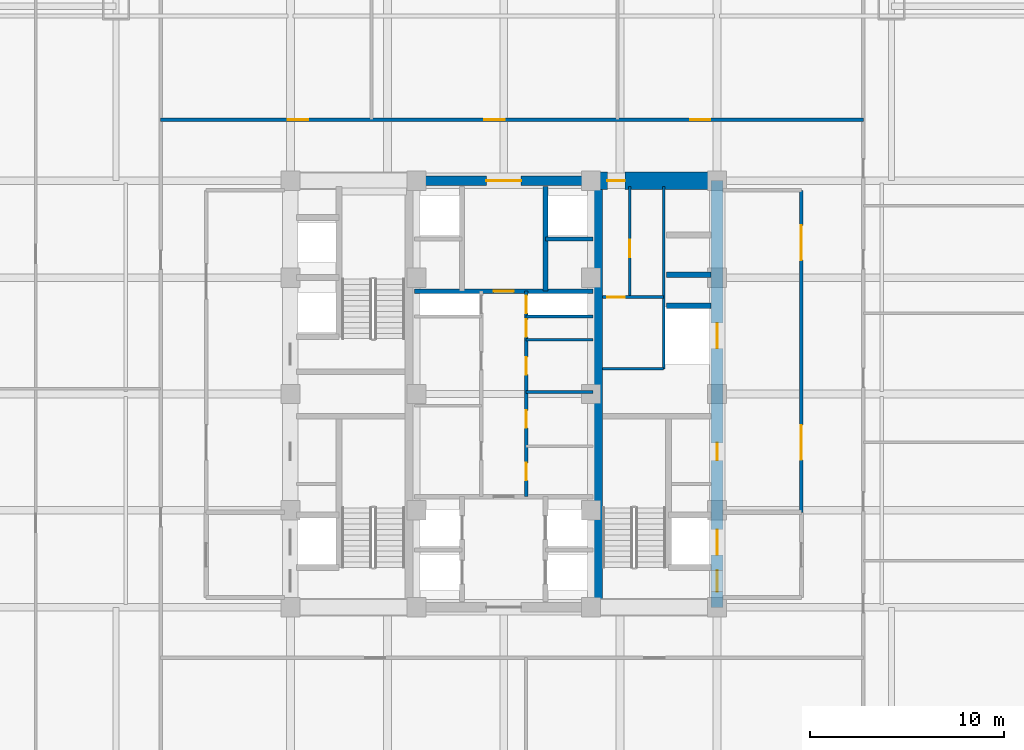
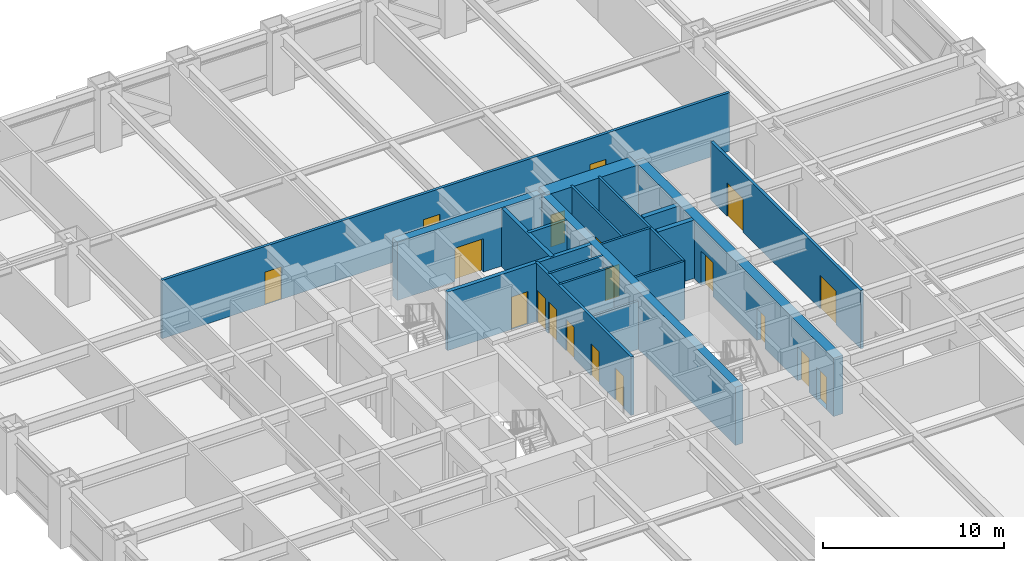
# One storey, part 26 of 32: 19 doors, 19 walls, 19 openings.
"""IFC4 building model written with IfcOpenShell, lengths in metres."""

from ifc_helpers import new_model, si_unit, direction, frame, frame_2d, origin, place, context, subcontext, project, spatial, rectangle, extrude, source, transform, mapped, material, layer, layer_set, type_object, element, fill, save


model = new_model("IFC4")

# Units and contexts
model_context = context("Model", 3, precision=1e-05, world=origin(), true_north=direction((0.0, 1.0)))
body_context = subcontext(model_context, "Body", "Model", "MODEL_VIEW")
ifc_project = project(units=[si_unit("LENGTHUNIT", "METRE"), si_unit("AREAUNIT", "SQUARE_METRE"), si_unit("VOLUMEUNIT", "CUBIC_METRE"), si_unit("PLANEANGLEUNIT", "RADIAN"), si_unit("MASSUNIT", "GRAM", prefix="KILO")], contexts=[model_context])

# Site, building, storey
site_placement = place(None, origin())
site = spatial("IfcSite", under=ifc_project, at=site_placement, CompositionType="ELEMENT")
building_placement = place(site_placement, origin())
building = spatial("IfcBuilding", under=site, at=building_placement, Name="Khorayat Bourse Tower", CompositionType="ELEMENT")
storey_placement = place(building_placement, frame((0.0, 0.0, 78.800048828125)))
storey = spatial("IfcBuildingStorey", under=building, at=storey_placement, Name="L17", CompositionType="ELEMENT", Elevation=78.800048828125)

# Wall, openings, doors
ifc_material_1 = material(Name="Concrete C60/75", Category="concrete")
ifc_layer_1 = layer(ifc_material_1, 0.60009765625)
ifc_layer_set_1 = layer_set([ifc_layer_1], Name="Concrete C60/75")
wall_type_1 = type_object("IfcWallType", Name="WAL-CORE-600", PredefinedType="SHEAR", material=ifc_layer_set_1)
shared_shape_1 = source(origin(), body_context, "Body", "SweptSolid", [
    extrude(rectangle(XDim=22.0, YDim=0.60009765625, at=frame_2d((11.0, 0.0))), origin(), (0.0, 0.0, 1.0), 3.93994140625),
])
wall_1_placement = place(storey_placement, frame((11.0, -11.0, 0.0), z_axis=(0.0, 0.0, 1.0), x_axis=(0.0, 1.0, 0.0)))
wall_1 = element("IfcWall", 1, at=wall_1_placement, inside=storey, type_object=wall_type_1, Name="L17 Core Shear Wall CORE-E", PredefinedType="SHEAR", context=body_context, shape_type="MappedRepresentation", body=[
    mapped(shared_shape_1, transform((0.0, 0.0, 0.0), scale=1.0)),
])
shared_shape_2 = source(origin(), body_context, "Body", "SweptSolid", [
    extrude(rectangle(XDim=1.10009765625, YDim=2.199951171875, at=frame_2d((0.550048828125, 1.10009765625))), frame((0.0, 0.31005859375, 0.0), z_axis=(0.0, -1.0, 0.0), x_axis=(1.0, 0.0, 0.0)), (0.0, 0.0, 1.0), 0.6201171875),
])
opening_1_placement = place(wall_1_placement, frame((0.800048828125, 0.0, 0.0)))
opening_1 = element("IfcOpeningElement", 2, at=opening_1_placement, cuts=wall_1, Name="Opening DI-01", PredefinedType="OPENING", context=body_context, shape_type="MappedRepresentation", body=[
    mapped(shared_shape_2, transform((0.0, 0.0, 0.0), scale=1.0)),
])
shared_shape_3 = source(origin(), body_context, "Body", "SweptSolid", [
    extrude(rectangle(XDim=0.89990234375, YDim=2.14990234375, at=frame_2d((0.449951171875, 1.074951171875))), frame((0.0, 0.31005859375, 0.0), z_axis=(0.0, -1.0, 0.0), x_axis=(1.0, 0.0, 0.0)), (0.0, 0.0, 1.0), 0.6201171875),
])
opening_2_placement = place(wall_1_placement, frame((7.574951171875, 0.0, 0.0)))
opening_2 = element("IfcOpeningElement", 3, at=opening_2_placement, cuts=wall_1, Name="Opening DI-06", PredefinedType="OPENING", context=body_context, shape_type="MappedRepresentation", body=[
    mapped(shared_shape_3, transform((0.0, 0.0, 0.0), scale=1.0)),
])
shared_shape_4 = source(origin(), body_context, "Body", "SweptSolid", [
    extrude(rectangle(XDim=1.300048828125, YDim=2.300048828125, at=frame_2d((0.64990234375, 1.14990234375))), frame((0.0, 0.31005859375, 0.0), z_axis=(0.0, -1.0, 0.0), x_axis=(1.0, 0.0, 0.0)), (0.0, 0.0, 1.0), 0.6201171875),
])
opening_3_placement = place(wall_1_placement, frame((2.699951171875, 0.0, 0.0)))
opening_3 = element("IfcOpeningElement", 4, at=opening_3_placement, cuts=wall_1, Name="Opening LD-02", PredefinedType="OPENING", context=body_context, shape_type="MappedRepresentation", body=[
    mapped(shared_shape_4, transform((0.0, 0.0, 0.0), scale=1.0)),
])
opening_4_placement = place(wall_1_placement, frame((13.35009765625, 0.0, 0.0)))
opening_4 = element("IfcOpeningElement", 5, at=opening_4_placement, cuts=wall_1, Name="Opening LD-02", PredefinedType="OPENING", context=body_context, shape_type="MappedRepresentation", body=[
    mapped(shared_shape_4, transform((0.0, 0.0, 0.0), scale=1.0)),
])
ifc_material_2 = material(Name="Fire-rated steel acoustic leaf", Category="steel")
door_type_1 = type_object("IfcDoorType", Name="DR-INT-STAIR-1100", OperationType="NOTDEFINED", PredefinedType="DOOR", material=ifc_material_2)
shared_shape_5 = source(origin(), body_context, "Body", "SweptSolid", [
    extrude(rectangle(XDim=1.10009765625, YDim=2.199951171875, at=frame_2d((0.550048828125, 1.10009765625))), frame((0.0, 0.02490234375, 0.0), z_axis=(0.0, -1.0, 0.0), x_axis=(1.0, 0.0, 0.0)), (0.0, 0.0, 1.0), 0.050048828125),
])
door_1_placement = place(opening_1_placement, origin())
door_1 = element("IfcDoor", 6, at=door_1_placement, inside=storey, type_object=door_type_1, Name="L17 Exit Stair 3 Door", OperationType="SINGLE_SWING_LEFT", OverallHeight=2.199951171875, OverallWidth=1.10009765625, PredefinedType="DOOR", context=body_context, shape_type="MappedRepresentation", body=[
    mapped(shared_shape_5, transform((0.0, 0.0, 0.0), scale=1.0)),
])
fill(opening_1, door_1)
ifc_material_3 = material(Name="Moisture-resistant laminate washroom door")
door_type_2 = type_object("IfcDoorType", Name="DR-INT-WC-900", OperationType="NOTDEFINED", PredefinedType="DOOR", material=ifc_material_3)
shared_shape_6 = source(origin(), body_context, "Body", "SweptSolid", [
    extrude(rectangle(XDim=0.89990234375, YDim=2.14990234375, at=frame_2d((0.449951171875, 1.074951171875))), frame((0.0, 0.02490234375, 0.0), z_axis=(0.0, -1.0, 0.0), x_axis=(1.0, 0.0, 0.0)), (0.0, 0.0, 1.0), 0.050048828125),
])
door_2_placement = place(opening_2_placement, origin())
door_2 = element("IfcDoor", 7, at=door_2_placement, inside=storey, type_object=door_type_2, Name="L17 Fiber Server Plant Room Door", OperationType="SINGLE_SWING_LEFT", OverallHeight=2.14990234375, OverallWidth=0.89990234375, PredefinedType="DOOR", context=body_context, shape_type="MappedRepresentation", body=[
    mapped(shared_shape_6, transform((0.0, 0.0, 0.0), scale=1.0)),
])
fill(opening_2, door_2)
ifc_material_4 = material(Name="Fire-rated stainless-steel sliding landing door", Category="steel")
door_type_3 = type_object("IfcDoorType", Name="DR-LIFT-FF-1300", OperationType="NOTDEFINED", PredefinedType="DOOR", material=ifc_material_4)
shared_shape_7 = source(origin(), body_context, "Body", "SweptSolid", [
    extrude(rectangle(XDim=1.300048828125, YDim=2.300048828125, at=frame_2d((0.64990234375, 1.14990234375))), frame((0.0, 0.02490234375, 0.0), z_axis=(0.0, -1.0, 0.0), x_axis=(1.0, 0.0, 0.0)), (0.0, 0.0, 1.0), 0.050048828125),
])
door_3_placement = place(opening_3_placement, origin())
door_3 = element("IfcDoor", 8, at=door_3_placement, inside=storey, type_object=door_type_3, Name="L17 Lift FFL-02 Sliding Landing Door", OperationType="SLIDING_TO_LEFT", OverallHeight=2.300048828125, OverallWidth=1.300048828125, PredefinedType="DOOR", context=body_context, shape_type="MappedRepresentation", body=[
    mapped(shared_shape_7, transform((0.0, 0.0, 0.0), scale=1.0)),
])
fill(opening_3, door_3)
door_4_placement = place(opening_4_placement, origin())
door_4 = element("IfcDoor", 9, at=door_4_placement, inside=storey, type_object=door_type_3, Name="L17 Lift SVL-01 Sliding Landing Door", OperationType="SLIDING_TO_LEFT", OverallHeight=2.300048828125, OverallWidth=1.300048828125, PredefinedType="DOOR", context=body_context, shape_type="MappedRepresentation", body=[
    mapped(shared_shape_7, transform((0.0, 0.0, 0.0), scale=1.0)),
])
fill(opening_4, door_4)

# Wall
ifc_material_5 = material(Name="Concrete C52/65", Category="concrete")
ifc_layer_2 = layer(ifc_material_5, 0.5)
ifc_layer_set_2 = layer_set([ifc_layer_2], Name="Concrete C52/65")
wall_type_2 = type_object("IfcWallType", Name="WAL-CORE-500", PredefinedType="SHEAR", material=ifc_layer_set_2)
shared_shape_8 = source(origin(), body_context, "Body", "SweptSolid", [
    extrude(rectangle(XDim=21.39990234375, YDim=0.5, at=frame_2d((10.699951171875, 0.0))), origin(), (0.0, 0.0, 1.0), 3.93994140625),
])
wall_2_placement = place(storey_placement, frame((4.85009765625, -10.699951171875, 0.0), z_axis=(0.0, 0.0, 1.0), x_axis=(0.0, 1.0, 0.0)))
element("IfcWall", 10, at=wall_2_placement, inside=storey, type_object=wall_type_2, Name="L17 Core Shear Wall PIER-E", PredefinedType="SHEAR", context=body_context, shape_type="MappedRepresentation", body=[
    mapped(shared_shape_8, transform((0.0, 0.0, 0.0), scale=1.0)),
])

# Wall, opening, door
ifc_material_6 = material(Name="Concrete C72/90", Category="concrete")
ifc_layer_3 = layer(ifc_material_6, 0.89990234375)
ifc_layer_set_3 = layer_set([ifc_layer_3], Name="Concrete C72/90")
wall_type_3 = type_object("IfcWallType", Name="WAL-CORE-900", PredefinedType="SHEAR", material=ifc_layer_set_3)
shared_shape_9 = source(origin(), body_context, "Body", "SweptSolid", [
    extrude(rectangle(XDim=5.849853515625, YDim=0.89990234375, at=frame_2d((2.9248046875, 0.0))), origin(), (0.0, 0.0, 1.0), 3.93994140625),
])
wall_3_placement = place(storey_placement, frame((4.85009765625, 11.0, 0.0), z_axis=(0.0, 0.0, 1.0), x_axis=(1.0, 0.0, 0.0)))
wall_3 = element("IfcWall", 11, at=wall_3_placement, inside=storey, type_object=wall_type_3, Name="L17 Core Shear Wall PIER-EN", PredefinedType="SHEAR", context=body_context, shape_type="MappedRepresentation", body=[
    mapped(shared_shape_9, transform((0.0, 0.0, 0.0), scale=1.0)),
])
shared_shape_10 = source(origin(), body_context, "Body", "SweptSolid", [
    extrude(rectangle(XDim=0.89990234375, YDim=2.14990234375, at=frame_2d((0.449951171875, 1.074951171875))), frame((0.0, 0.4599609375, 0.0), z_axis=(0.0, -1.0, 0.0), x_axis=(1.0, 0.0, 0.0)), (0.0, 0.0, 1.0), 0.919921875),
])
opening_5_placement = place(wall_3_placement, frame((0.5, 0.0, 0.0)))
opening_5 = element("IfcOpeningElement", 12, at=opening_5_placement, cuts=wall_3, Name="Opening DI-06", PredefinedType="OPENING", context=body_context, shape_type="MappedRepresentation", body=[
    mapped(shared_shape_10, transform((0.0, 0.0, 0.0), scale=1.0)),
])
door_5_placement = place(opening_5_placement, origin())
door_5 = element("IfcDoor", 13, at=door_5_placement, inside=storey, type_object=door_type_2, Name="L17 Core Washroom Lobby Door", OperationType="SINGLE_SWING_LEFT", OverallHeight=2.14990234375, OverallWidth=0.89990234375, PredefinedType="DOOR", context=body_context, shape_type="MappedRepresentation", body=[
    mapped(shared_shape_6, transform((0.0, 0.0, 0.0), scale=1.0)),
])
fill(opening_5, door_5)

shared_shape_11 = source(origin(), body_context, "Body", "SweptSolid", [
    extrude(rectangle(XDim=9.2001953125, YDim=0.5, at=frame_2d((4.60009765625, 0.0))), origin(), (0.0, 0.0, 1.0), 3.93994140625),
])
wall_4_placement = place(storey_placement, frame((-4.60009765625, 11.0, 0.0), z_axis=(0.0, 0.0, 1.0), x_axis=(1.0, 0.0, 0.0)))
wall_4 = element("IfcWall", 14, at=wall_4_placement, inside=storey, type_object=wall_type_2, Name="L17 Core Shear Wall CORE-N", PredefinedType="SHEAR", context=body_context, shape_type="MappedRepresentation", body=[
    mapped(shared_shape_11, transform((0.0, 0.0, 0.0), scale=1.0)),
])
shared_shape_12 = source(origin(), body_context, "Body", "SweptSolid", [
    extrude(rectangle(XDim=1.800048828125, YDim=2.25, at=frame_2d((0.89990234375, 1.125))), frame((0.0, 0.260009765625, 0.0), z_axis=(0.0, -1.0, 0.0), x_axis=(1.0, 0.0, 0.0)), (0.0, 0.0, 1.0), 0.52001953125),
])
opening_6_placement = place(wall_4_placement, frame((3.699951171875, 0.0, 0.0)))
opening_6 = element("IfcOpeningElement", 15, at=opening_6_placement, cuts=wall_4, Name="Opening DI-03", PredefinedType="OPENING", context=body_context, shape_type="MappedRepresentation", body=[
    mapped(shared_shape_12, transform((0.0, 0.0, 0.0), scale=1.0)),
])
ifc_material_7 = material(Name="Fire-rated hardwood vision-panel double leaf", Category="wood")
door_type_4 = type_object("IfcDoorType", Name="DR-INT-CORR-1800", OperationType="NOTDEFINED", PredefinedType="DOOR", material=ifc_material_7)
shared_shape_13 = source(origin(), body_context, "Body", "SweptSolid", [
    extrude(rectangle(XDim=1.800048828125, YDim=2.25, at=frame_2d((0.89990234375, 1.125))), frame((0.0, 0.02490234375, 0.0), z_axis=(0.0, -1.0, 0.0), x_axis=(1.0, 0.0, 0.0)), (0.0, 0.0, 1.0), 0.050048828125),
])
door_6_placement = place(opening_6_placement, origin())
door_6 = element("IfcDoor", 16, at=door_6_placement, inside=storey, type_object=door_type_4, Name="L17 Mid-Rise Lift Lobby Door", OperationType="SINGLE_SWING_RIGHT", OverallHeight=2.25, OverallWidth=1.800048828125, PredefinedType="DOOR", context=body_context, shape_type="MappedRepresentation", body=[
    mapped(shared_shape_13, transform((0.0, 0.0, 0.0), scale=1.0)),
])
fill(opening_6, door_6)

# Walls
ifc_material_8 = material(Name="Concrete C50/60", Category="concrete")
ifc_layer_4 = layer(ifc_material_8, 0.300048828125)
ifc_layer_set_4 = layer_set([ifc_layer_4], Name="Concrete C50/60")
wall_type_4 = type_object("IfcWallType", Name="WAL-SHAFT-300", PredefinedType="SHEAR", material=ifc_layer_set_4)
shared_shape_14 = source(origin(), body_context, "Body", "SweptSolid", [
    extrude(rectangle(XDim=2.300048828125, YDim=0.300048828125, at=frame_2d((1.14990234375, 0.0))), origin(), (0.0, 0.0, 1.0), 3.93994140625),
])
for number, where, z_axis, x_axis, name in (
    (17, (8.39990234375, 4.550048828125, 0.0), (0.0, 0.0, 1.0), (1.0, 0.0, 0.0), "L17 Partition WAL-L17-EPIER-SVLN"),
    (18, (8.39990234375, 6.14990234375, 0.0), (0.0, 0.0, 1.0), (1.0, 0.0, 0.0), "L17 Partition WAL-L17-EPIER-H3S"),
):
    element("IfcWall", number, at=place(storey_placement, frame(where, z_axis=z_axis, x_axis=x_axis)), inside=storey, type_object=wall_type_4, Name=name, PredefinedType="SHEAR", context=body_context, shape_type="MappedRepresentation", body=[
        mapped(shared_shape_14, transform((0.0, 0.0, 0.0), scale=1.0)),
    ])
ifc_material_9 = material(Name="Moisture-resistant masonry partition", Category="masonry")
ifc_layer_5 = layer(ifc_material_9, 0.139892578125)
ifc_layer_set_5 = layer_set([ifc_layer_5], Name="Moisture-resistant masonry partition")
wall_type_5 = type_object("IfcWallType", Name="WAL-PART-WET-140", PredefinedType="PARTITIONING", material=ifc_layer_set_5)
shared_shape_15 = source(origin(), body_context, "Body", "SweptSolid", [
    extrude(rectangle(XDim=9.39990234375, YDim=0.139892578125, at=frame_2d((4.699951171875, 0.0))), origin(), (0.0, 0.0, 1.0), 3.93994140625),
])
wall_5_placement = place(storey_placement, frame((8.25, 1.300048828125, 0.0), z_axis=(0.0, 0.0, 1.0), x_axis=(0.0, 1.0, 0.0)))
element("IfcWall", 19, at=wall_5_placement, inside=storey, type_object=wall_type_5, Name="L17 Partition WAL-L17-ECORE-E", PredefinedType="PARTITIONING", context=body_context, shape_type="MappedRepresentation", body=[
    mapped(shared_shape_15, transform((0.0, 0.0, 0.0), scale=1.0)),
])
shared_shape_16 = source(origin(), body_context, "Body", "SweptSolid", [
    extrude(rectangle(XDim=3.14990234375, YDim=0.139892578125, at=frame_2d((1.574951171875, 0.0))), origin(), (0.0, 0.0, 1.0), 3.93994140625),
])
wall_6_placement = place(storey_placement, frame((5.10009765625, 1.300048828125, 0.0), z_axis=(0.0, 0.0, 1.0), x_axis=(1.0, 0.0, 0.0)))
element("IfcWall", 20, at=wall_6_placement, inside=storey, type_object=wall_type_5, Name="L17 Partition WAL-L17-ECORE-S", PredefinedType="PARTITIONING", context=body_context, shape_type="MappedRepresentation", body=[
    mapped(shared_shape_16, transform((0.0, 0.0, 0.0), scale=1.0)),
])

# Wall, opening, door
wall_7_placement = place(storey_placement, frame((5.10009765625, 5.0, 0.0), z_axis=(0.0, 0.0, 1.0), x_axis=(1.0, 0.0, 0.0)))
wall_7 = element("IfcWall", 21, at=wall_7_placement, inside=storey, type_object=wall_type_5, Name="L17 Partition WAL-L17-ECW-BOT", PredefinedType="PARTITIONING", context=body_context, shape_type="MappedRepresentation", body=[
    mapped(shared_shape_16, transform((0.0, 0.0, 0.0), scale=1.0)),
])
shared_shape_17 = source(origin(), body_context, "Body", "SweptSolid", [
    extrude(rectangle(XDim=0.89990234375, YDim=2.14990234375, at=frame_2d((0.449951171875, 1.074951171875))), frame((0.0, 0.079833984375, 0.0), z_axis=(0.0, -1.0, 0.0), x_axis=(1.0, 0.0, 0.0)), (0.0, 0.0, 1.0), 0.159912109375),
])
opening_7_placement = place(wall_7_placement, frame((0.25, 0.0, 0.0)))
opening_7 = element("IfcOpeningElement", 22, at=opening_7_placement, cuts=wall_7, Name="Opening DI-06", PredefinedType="OPENING", context=body_context, shape_type="MappedRepresentation", body=[
    mapped(shared_shape_17, transform((0.0, 0.0, 0.0), scale=1.0)),
])
door_7_placement = place(opening_7_placement, origin())
door_7 = element("IfcDoor", 23, at=door_7_placement, inside=storey, type_object=door_type_2, Name="L17 Shared Washroom Door", OperationType="SINGLE_SWING_LEFT", OverallHeight=2.14990234375, OverallWidth=0.89990234375, PredefinedType="DOOR", context=body_context, shape_type="MappedRepresentation", body=[
    mapped(shared_shape_6, transform((0.0, 0.0, 0.0), scale=1.0)),
])
fill(opening_7, door_7)

# Wall, openings, doors
ifc_material_10 = material(Name="Gypsum plasterboard acoustic stud wall")
ifc_layer_6 = layer(ifc_material_10, 0.179931640625)
ifc_layer_set_6 = layer_set([ifc_layer_6], Name="Gypsum plasterboard acoustic stud wall")
wall_type_6 = type_object("IfcWallType", Name="WAL-PART-CORR-180", PredefinedType="PARTITIONING", material=ifc_layer_set_6)
shared_shape_18 = source(origin(), body_context, "Body", "SweptSolid", [
    extrude(rectangle(XDim=16.60009765625, YDim=0.179931640625, at=frame_2d((8.300048828125, 0.0))), origin(), (0.0, 0.0, 1.0), 3.93994140625),
])
wall_8_placement = place(storey_placement, frame((15.35009765625, -6.10009765625, 0.0), z_axis=(0.0, 0.0, 1.0), x_axis=(0.0, 1.0, 0.0)))
wall_8 = element("IfcWall", 24, at=wall_8_placement, inside=storey, type_object=wall_type_6, Name="L17 Partition WAL-L17-ELOB-E", PredefinedType="PARTITIONING", context=body_context, shape_type="MappedRepresentation", body=[
    mapped(shared_shape_18, transform((0.0, 0.0, 0.0), scale=1.0)),
])
shared_shape_19 = source(origin(), body_context, "Body", "SweptSolid", [
    extrude(rectangle(XDim=1.800048828125, YDim=2.25, at=frame_2d((0.89990234375, 1.125))), frame((0.0, 0.099853515625, 0.0), z_axis=(0.0, -1.0, 0.0), x_axis=(1.0, 0.0, 0.0)), (0.0, 0.0, 1.0), 0.199951171875),
])
opening_8_placement = place(wall_8_placement, frame((2.699951171875, 0.0, 0.0)))
opening_8 = element("IfcOpeningElement", 25, at=opening_8_placement, cuts=wall_8, Name="Opening DI-03", PredefinedType="OPENING", context=body_context, shape_type="MappedRepresentation", body=[
    mapped(shared_shape_19, transform((0.0, 0.0, 0.0), scale=1.0)),
])
opening_9_placement = place(wall_8_placement, frame((13.0, 0.0, 0.0)))
opening_9 = element("IfcOpeningElement", 26, at=opening_9_placement, cuts=wall_8, Name="Opening DI-03", PredefinedType="OPENING", context=body_context, shape_type="MappedRepresentation", body=[
    mapped(shared_shape_19, transform((0.0, 0.0, 0.0), scale=1.0)),
])
door_8_placement = place(opening_8_placement, origin())
door_8 = element("IfcDoor", 27, at=door_8_placement, inside=storey, type_object=door_type_4, Name="L17 East Core Lobby South Door", OperationType="SINGLE_SWING_RIGHT", OverallHeight=2.25, OverallWidth=1.800048828125, PredefinedType="DOOR", context=body_context, shape_type="MappedRepresentation", body=[
    mapped(shared_shape_13, transform((0.0, 0.0, 0.0), scale=1.0)),
])
fill(opening_8, door_8)
door_9_placement = place(opening_9_placement, origin())
door_9 = element("IfcDoor", 28, at=door_9_placement, inside=storey, type_object=door_type_4, Name="L17 East Core Lobby North Door", OperationType="SINGLE_SWING_LEFT", OverallHeight=2.25, OverallWidth=1.800048828125, PredefinedType="DOOR", context=body_context, shape_type="MappedRepresentation", body=[
    mapped(shared_shape_13, transform((0.0, 0.0, 0.0), scale=1.0)),
])
fill(opening_9, door_9)

# Walls
ifc_material_11 = material(Name="Gypsum plasterboard twin-frame partition")
ifc_layer_7 = layer(ifc_material_11, 0.14990234375)
ifc_layer_set_7 = layer_set([ifc_layer_7], Name="Gypsum plasterboard twin-frame partition")
wall_type_7 = type_object("IfcWallType", Name="WAL-PART-SUITE-150", PredefinedType="PARTITIONING", material=ifc_layer_set_7)
shared_shape_20 = source(origin(), body_context, "Body", "SweptSolid", [
    extrude(rectangle(XDim=3.4501953125, YDim=0.14990234375, at=frame_2d((1.72509765625, 0.0))), origin(), (0.0, 0.0, 1.0), 3.93994140625),
])
wall_9_placement = place(storey_placement, frame((1.14990234375, 4.0, 0.0), z_axis=(0.0, 0.0, 1.0), x_axis=(1.0, 0.0, 0.0)))
element("IfcWall", 29, at=wall_9_placement, inside=storey, type_object=wall_type_7, Name="L17 Partition WAL-L17-CRSE-S", PredefinedType="PARTITIONING", context=body_context, shape_type="MappedRepresentation", body=[
    mapped(shared_shape_20, transform((0.0, 0.0, 0.0), scale=1.0)),
])
shared_shape_21 = source(origin(), body_context, "Body", "SweptSolid", [
    extrude(rectangle(XDim=5.39990234375, YDim=0.25, at=frame_2d((2.699951171875, 0.0))), origin(), (0.0, 0.0, 1.0), 3.93994140625),
])
wall_10_placement = place(storey_placement, frame((2.14990234375, 5.300048828125, 0.0), z_axis=(0.0, 0.0, 1.0), x_axis=(0.0, 1.0, 0.0)))
element("IfcWall", 30, at=wall_10_placement, inside=storey, type_object=wall_type_4, Name="L17 Partition WAL-L17-B2-E", PredefinedType="SHEAR", context=body_context, shape_type="MappedRepresentation", body=[
    mapped(shared_shape_21, transform((0.0, 0.0, 0.0), scale=1.0)),
])
shared_shape_22 = source(origin(), body_context, "Body", "SweptSolid", [
    extrude(rectangle(XDim=2.4501953125, YDim=0.199951171875, at=frame_2d((1.22509765625, 0.0))), origin(), (0.0, 0.0, 1.0), 3.93994140625),
])
wall_11_placement = place(storey_placement, frame((2.14990234375, 8.0, 0.0), z_axis=(0.0, 0.0, 1.0), x_axis=(1.0, 0.0, 0.0)))
element("IfcWall", 31, at=wall_11_placement, inside=storey, type_object=wall_type_4, Name="L17 Partition WAL-L17-B2-ME", PredefinedType="SHEAR", context=body_context, shape_type="MappedRepresentation", body=[
    mapped(shared_shape_22, transform((0.0, 0.0, 0.0), scale=1.0)),
])

# Wall, opening, door
shared_shape_23 = source(origin(), body_context, "Body", "SweptSolid", [
    extrude(rectangle(XDim=9.2001953125, YDim=0.25, at=frame_2d((4.60009765625, 0.0))), origin(), (0.0, 0.0, 1.0), 3.93994140625),
])
wall_12_placement = place(storey_placement, frame((-4.60009765625, 5.300048828125, 0.0), z_axis=(0.0, 0.0, 1.0), x_axis=(1.0, 0.0, 0.0)))
wall_12 = element("IfcWall", 32, at=wall_12_placement, inside=storey, type_object=wall_type_4, Name="L17 Partition WAL-L17-B2-S", PredefinedType="SHEAR", context=body_context, shape_type="MappedRepresentation", body=[
    mapped(shared_shape_23, transform((0.0, 0.0, 0.0), scale=1.0)),
])
shared_shape_24 = source(origin(), body_context, "Body", "SweptSolid", [
    extrude(rectangle(XDim=1.050048828125, YDim=2.199951171875, at=frame_2d((0.52490234375, 1.10009765625))), frame((0.0, 0.135009765625, 0.0), z_axis=(0.0, -1.0, 0.0), x_axis=(1.0, 0.0, 0.0)), (0.0, 0.0, 1.0), 0.27001953125),
])
opening_10_placement = place(wall_12_placement, frame((4.074951171875, 0.0, 0.0)))
opening_10 = element("IfcOpeningElement", 33, at=opening_10_placement, cuts=wall_12, Name="Opening DI-04", PredefinedType="OPENING", context=body_context, shape_type="MappedRepresentation", body=[
    mapped(shared_shape_24, transform((0.0, 0.0, 0.0), scale=1.0)),
])
ifc_material_12 = material(Name="Fire-rated oak veneer suite entrance door")
door_type_5 = type_object("IfcDoorType", Name="DR-INT-SUITE-1050", OperationType="NOTDEFINED", PredefinedType="DOOR", material=ifc_material_12)
shared_shape_25 = source(origin(), body_context, "Body", "SweptSolid", [
    extrude(rectangle(XDim=1.050048828125, YDim=2.199951171875, at=frame_2d((0.52490234375, 1.10009765625))), frame((0.0, 0.02490234375, 0.0), z_axis=(0.0, -1.0, 0.0), x_axis=(1.0, 0.0, 0.0)), (0.0, 0.0, 1.0), 0.050048828125),
])
door_10_placement = place(opening_10_placement, origin())
door_10 = element("IfcDoor", 34, at=door_10_placement, inside=storey, type_object=door_type_5, Name="L17 Core Spine North Door", OperationType="SINGLE_SWING_RIGHT", OverallHeight=2.199951171875, OverallWidth=1.050048828125, PredefinedType="DOOR", context=body_context, shape_type="MappedRepresentation", body=[
    mapped(shared_shape_25, transform((0.0, 0.0, 0.0), scale=1.0)),
])
fill(opening_10, door_10)

# Wall
shared_shape_26 = source(origin(), body_context, "Body", "SweptSolid", [
    extrude(rectangle(XDim=3.4501953125, YDim=0.139892578125, at=frame_2d((1.72509765625, 0.0))), origin(), (0.0, 0.0, 1.0), 3.93994140625),
])
wall_13_placement = place(storey_placement, frame((1.14990234375, 2.800048828125, 0.0), z_axis=(0.0, 0.0, 1.0), x_axis=(1.0, 0.0, 0.0)))
element("IfcWall", 35, at=wall_13_placement, inside=storey, type_object=wall_type_5, Name="L17 Partition WAL-L17-CME-D3", PredefinedType="PARTITIONING", context=body_context, shape_type="MappedRepresentation", body=[
    mapped(shared_shape_26, transform((0.0, 0.0, 0.0), scale=1.0)),
])

# Wall, openings, doors
shared_shape_27 = source(origin(), body_context, "Body", "SweptSolid", [
    extrude(rectangle(XDim=10.60009765625, YDim=0.179931640625, at=frame_2d((5.300048828125, 0.0))), origin(), (0.0, 0.0, 1.0), 3.93994140625),
])
wall_14_placement = place(storey_placement, frame((1.14990234375, -5.300048828125, 0.0), z_axis=(0.0, 0.0, 1.0), x_axis=(0.0, 1.0, 0.0)))
wall_14 = element("IfcWall", 36, at=wall_14_placement, inside=storey, type_object=wall_type_6, Name="L17 Partition WAL-L17-CME-L", PredefinedType="PARTITIONING", context=body_context, shape_type="MappedRepresentation", body=[
    mapped(shared_shape_27, transform((0.0, 0.0, 0.0), scale=1.0)),
])
shared_shape_28 = source(origin(), body_context, "Body", "SweptSolid", [
    extrude(rectangle(XDim=0.89990234375, YDim=2.14990234375, at=frame_2d((0.449951171875, 1.074951171875))), frame((0.0, 0.099853515625, 0.0), z_axis=(0.0, -1.0, 0.0), x_axis=(1.0, 0.0, 0.0)), (0.0, 0.0, 1.0), 0.199951171875),
])
opening_11_placement = place(wall_14_placement, frame((0.85009765625, 0.0, 0.0)))
opening_11 = element("IfcOpeningElement", 37, at=opening_11_placement, cuts=wall_14, Name="Opening DI-06", PredefinedType="OPENING", context=body_context, shape_type="MappedRepresentation", body=[
    mapped(shared_shape_28, transform((0.0, 0.0, 0.0), scale=1.0)),
])
opening_12_placement = place(wall_14_placement, frame((3.550048828125, 0.0, 0.0)))
opening_12 = element("IfcOpeningElement", 38, at=opening_12_placement, cuts=wall_14, Name="Opening DI-06", PredefinedType="OPENING", context=body_context, shape_type="MappedRepresentation", body=[
    mapped(shared_shape_28, transform((0.0, 0.0, 0.0), scale=1.0)),
])
opening_13_placement = place(wall_14_placement, frame((6.300048828125, 0.0, 0.0)))
opening_13 = element("IfcOpeningElement", 39, at=opening_13_placement, cuts=wall_14, Name="Opening DI-06", PredefinedType="OPENING", context=body_context, shape_type="MappedRepresentation", body=[
    mapped(shared_shape_28, transform((0.0, 0.0, 0.0), scale=1.0)),
])
opening_14_placement = place(wall_14_placement, frame((8.25, 0.0, 0.0)))
opening_14 = element("IfcOpeningElement", 40, at=opening_14_placement, cuts=wall_14, Name="Opening DI-06", PredefinedType="OPENING", context=body_context, shape_type="MappedRepresentation", body=[
    mapped(shared_shape_28, transform((0.0, 0.0, 0.0), scale=1.0)),
])
opening_15_placement = place(wall_14_placement, frame((9.47509765625, 0.0, 0.0)))
opening_15 = element("IfcOpeningElement", 41, at=opening_15_placement, cuts=wall_14, Name="Opening DI-06", PredefinedType="OPENING", context=body_context, shape_type="MappedRepresentation", body=[
    mapped(shared_shape_28, transform((0.0, 0.0, 0.0), scale=1.0)),
])
door_11_placement = place(opening_11_placement, origin())
door_11 = element("IfcDoor", 42, at=door_11_placement, inside=storey, type_object=door_type_2, Name="L17 Female Core Washroom Door", OperationType="SINGLE_SWING_RIGHT", OverallHeight=2.14990234375, OverallWidth=0.89990234375, PredefinedType="DOOR", context=body_context, shape_type="MappedRepresentation", body=[
    mapped(shared_shape_6, transform((0.0, 0.0, 0.0), scale=1.0)),
])
fill(opening_11, door_11)
door_12_placement = place(opening_12_placement, origin())
door_12 = element("IfcDoor", 43, at=door_12_placement, inside=storey, type_object=door_type_2, Name="L17 Comms Patch Room Door", OperationType="SINGLE_SWING_LEFT", OverallHeight=2.14990234375, OverallWidth=0.89990234375, PredefinedType="DOOR", context=body_context, shape_type="MappedRepresentation", body=[
    mapped(shared_shape_6, transform((0.0, 0.0, 0.0), scale=1.0)),
])
fill(opening_12, door_12)
door_13_placement = place(opening_13_placement, origin())
door_13 = element("IfcDoor", 44, at=door_13_placement, inside=storey, type_object=door_type_2, Name="L17 Janitor Cupboard Door", OperationType="SINGLE_SWING_RIGHT", OverallHeight=2.14990234375, OverallWidth=0.89990234375, PredefinedType="DOOR", context=body_context, shape_type="MappedRepresentation", body=[
    mapped(shared_shape_6, transform((0.0, 0.0, 0.0), scale=1.0)),
])
fill(opening_13, door_13)
door_14_placement = place(opening_14_placement, origin())
door_14 = element("IfcDoor", 45, at=door_14_placement, inside=storey, type_object=door_type_2, Name="L17 Fire Valve Plant Room Door", OperationType="SINGLE_SWING_LEFT", OverallHeight=2.14990234375, OverallWidth=0.89990234375, PredefinedType="DOOR", context=body_context, shape_type="MappedRepresentation", body=[
    mapped(shared_shape_6, transform((0.0, 0.0, 0.0), scale=1.0)),
])
fill(opening_14, door_14)
door_15_placement = place(opening_15_placement, origin())
door_15 = element("IfcDoor", 46, at=door_15_placement, inside=storey, type_object=door_type_2, Name="L17 East Core Riser Door", OperationType="SINGLE_SWING_RIGHT", OverallHeight=2.14990234375, OverallWidth=0.89990234375, PredefinedType="DOOR", context=body_context, shape_type="MappedRepresentation", body=[
    mapped(shared_shape_6, transform((0.0, 0.0, 0.0), scale=1.0)),
])
fill(opening_15, door_15)

shared_shape_29 = source(origin(), body_context, "Body", "SweptSolid", [
    extrude(rectangle(XDim=36.25, YDim=0.179931640625, at=frame_2d((18.125, 0.0))), origin(), (0.0, 0.0, 1.0), 3.93994140625),
])
wall_15_placement = place(storey_placement, frame((-17.699951171875, 14.14990234375, 0.0), z_axis=(0.0, 0.0, 1.0), x_axis=(1.0, 0.0, 0.0)))
wall_15 = element("IfcWall", 47, at=wall_15_placement, inside=storey, type_object=wall_type_6, Name="L17 Partition WAL-L17-NCORR", PredefinedType="PARTITIONING", context=body_context, shape_type="MappedRepresentation", body=[
    mapped(shared_shape_29, transform((0.0, 0.0, 0.0), scale=1.0)),
])
shared_shape_30 = source(origin(), body_context, "Body", "SweptSolid", [
    extrude(rectangle(XDim=1.050048828125, YDim=2.199951171875, at=frame_2d((0.52490234375, 1.10009765625))), frame((0.0, 0.099853515625, 0.0), z_axis=(0.0, -1.0, 0.0), x_axis=(1.0, 0.0, 0.0)), (0.0, 0.0, 1.0), 0.199951171875),
])
opening_16_placement = place(wall_15_placement, frame((6.5625, 0.0, 0.0)))
opening_16 = element("IfcOpeningElement", 48, at=opening_16_placement, cuts=wall_15, Name="Opening DI-04", PredefinedType="OPENING", context=body_context, shape_type="MappedRepresentation", body=[
    mapped(shared_shape_30, transform((0.0, 0.0, 0.0), scale=1.0)),
])
opening_17_placement = place(wall_15_placement, frame((16.693603515625, 0.0, 0.0)))
opening_17 = element("IfcOpeningElement", 49, at=opening_17_placement, cuts=wall_15, Name="Opening DI-04", PredefinedType="OPENING", context=body_context, shape_type="MappedRepresentation", body=[
    mapped(shared_shape_30, transform((0.0, 0.0, 0.0), scale=1.0)),
])
opening_18_placement = place(wall_15_placement, frame((27.30615234375, 0.0, 0.0)))
opening_18 = element("IfcOpeningElement", 50, at=opening_18_placement, cuts=wall_15, Name="Opening DI-04", PredefinedType="OPENING", context=body_context, shape_type="MappedRepresentation", body=[
    mapped(shared_shape_30, transform((0.0, 0.0, 0.0), scale=1.0)),
])
door_16_placement = place(opening_16_placement, origin())
door_16 = element("IfcDoor", 51, at=door_16_placement, inside=storey, type_object=door_type_5, Name="L17 Issuer Listing Showroom N1 Door", OperationType="SINGLE_SWING_RIGHT", OverallHeight=2.199951171875, OverallWidth=1.050048828125, PredefinedType="DOOR", context=body_context, shape_type="MappedRepresentation", body=[
    mapped(shared_shape_25, transform((0.0, 0.0, 0.0), scale=1.0)),
])
fill(opening_16, door_16)
door_17_placement = place(opening_17_placement, origin())
door_17 = element("IfcDoor", 52, at=door_17_placement, inside=storey, type_object=door_type_5, Name="L17 Floor Reception Concierge N2 Door", OperationType="SINGLE_SWING_LEFT", OverallHeight=2.199951171875, OverallWidth=1.050048828125, PredefinedType="DOOR", context=body_context, shape_type="MappedRepresentation", body=[
    mapped(shared_shape_25, transform((0.0, 0.0, 0.0), scale=1.0)),
])
fill(opening_17, door_17)
door_18_placement = place(opening_18_placement, origin())
door_18 = element("IfcDoor", 53, at=door_18_placement, inside=storey, type_object=door_type_5, Name="L17 Equities Trading Desk N3 Door", OperationType="SINGLE_SWING_RIGHT", OverallHeight=2.199951171875, OverallWidth=1.050048828125, PredefinedType="DOOR", context=body_context, shape_type="MappedRepresentation", body=[
    mapped(shared_shape_25, transform((0.0, 0.0, 0.0), scale=1.0)),
])
fill(opening_18, door_18)

# Wall
shared_shape_31 = source(origin(), body_context, "Body", "SweptSolid", [
    extrude(rectangle(XDim=3.4501953125, YDim=0.139892578125, at=frame_2d((1.72509765625, 0.0))), origin(), (0.0, 0.0, 1.0), 3.244873046875),
])
wall_16_placement = place(storey_placement, frame((1.14990234375, 0.10009765625, 0.0), z_axis=(0.0, 0.0, 1.0), x_axis=(1.0, 0.0, 0.0)))
element("IfcWall", 54, at=wall_16_placement, inside=storey, type_object=wall_type_5, Name="L17 Partition WAL-L17-CME-D2", PredefinedType="PARTITIONING", context=body_context, shape_type="MappedRepresentation", body=[
    mapped(shared_shape_31, transform((0.0, 0.0, 0.0), scale=1.0)),
])

# Wall, opening, door
shared_shape_32 = source(origin(), body_context, "Body", "SweptSolid", [
    extrude(rectangle(XDim=5.699951171875, YDim=0.139892578125, at=frame_2d((2.85009765625, 0.0))), origin(), (0.0, 0.0, 1.0), 3.93994140625),
])
wall_17_placement = place(storey_placement, frame((6.5, 5.0, 0.0), z_axis=(0.0, 0.0, 1.0), x_axis=(0.0, 1.0, 0.0)))
wall_17 = element("IfcWall", 55, at=wall_17_placement, inside=storey, type_object=wall_type_5, Name="L17 Partition WAL-L17-ECW-MID", PredefinedType="PARTITIONING", context=body_context, shape_type="MappedRepresentation", body=[
    mapped(shared_shape_32, transform((0.0, 0.0, 0.0), scale=1.0)),
])
opening_19_placement = place(wall_17_placement, frame((2.050048828125, 0.0, 0.0)))
opening_19 = element("IfcOpeningElement", 56, at=opening_19_placement, cuts=wall_17, Name="Opening DI-06", PredefinedType="OPENING", context=body_context, shape_type="MappedRepresentation", body=[
    mapped(shared_shape_17, transform((0.0, 0.0, 0.0), scale=1.0)),
])
door_19_placement = place(opening_19_placement, origin())
door_19 = element("IfcDoor", 57, at=door_19_placement, inside=storey, type_object=door_type_2, Name="L17 Accessible WC Door", OperationType="SINGLE_SWING_RIGHT", OverallHeight=2.14990234375, OverallWidth=0.89990234375, PredefinedType="DOOR", context=body_context, shape_type="MappedRepresentation", body=[
    mapped(shared_shape_6, transform((0.0, 0.0, 0.0), scale=1.0)),
])
fill(opening_19, door_19)

save(model, "model.ifc")
